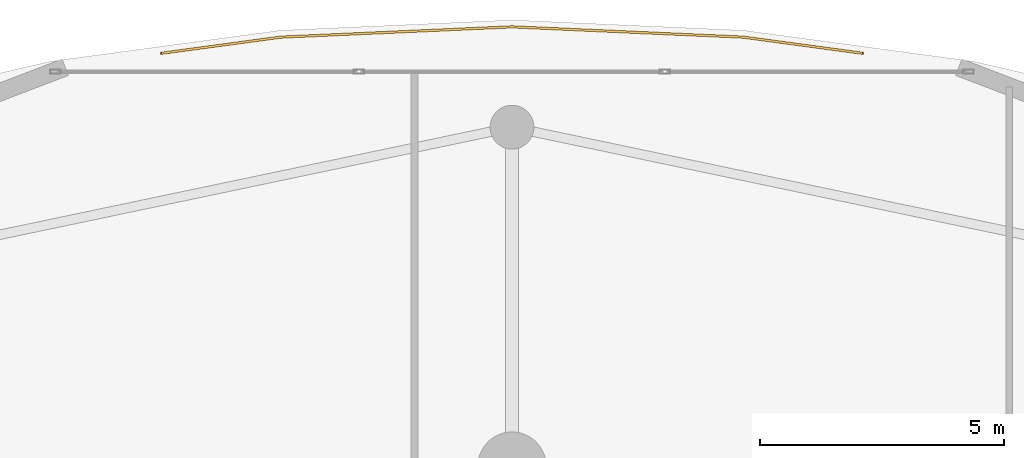
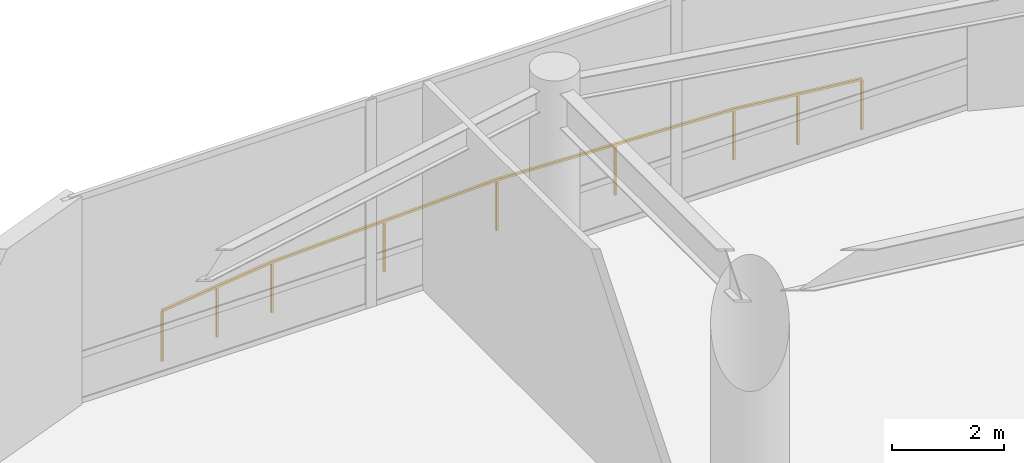
# One storey, part 39 of 40: 1 railing.
"""IFC4 building model written with IfcOpenShell, lengths in metres."""

from ifc_helpers import new_model, si_unit, direction, frame, origin, origin_2d, place, context, subcontext, project, spatial, rectangle, extrude, material, type_object, element, save


model = new_model("IFC4")

# Units and contexts
model_context = context("Model", 3, precision=1e-05, world=origin(), true_north=direction((0.0, 1.0)))
body_context = subcontext(model_context, "Body", "Model", "MODEL_VIEW")
ifc_project = project(units=[si_unit("LENGTHUNIT", "METRE"), si_unit("AREAUNIT", "SQUARE_METRE"), si_unit("VOLUMEUNIT", "CUBIC_METRE"), si_unit("PLANEANGLEUNIT", "RADIAN"), si_unit("MASSUNIT", "GRAM", prefix="KILO")], contexts=[model_context])

# Site, building, storey
site_placement = place(None, origin())
site = spatial("IfcSite", under=ifc_project, at=site_placement, CompositionType="ELEMENT")
building_placement = place(site_placement, origin())
building = spatial("IfcBuilding", under=site, at=building_placement, Name="Kazevale Care Tower and Concert Hall", CompositionType="ELEMENT")
storey_placement = place(building_placement, frame((0.0, 0.0, 4.800048828125)))
storey = spatial("IfcBuildingStorey", under=building, at=storey_placement, Name="L01", CompositionType="ELEMENT", Elevation=4.800048828125)

# Railing
ifc_material = material(Name="Anodised Bronze Aluminium and Laminated Glass", Category="aluminium")
railing_type = type_object("IfcRailingType", Name="Balcony and Terrace Balustrade 1120", PredefinedType="BALUSTRADE", material=ifc_material)
railing_placement = place(storey_placement, frame((37.81201171875, 71.117919921875, 0.0)))
element("IfcRailing", 1, at=railing_placement, inside=storey, type_object=railing_type, Name="rail:L01:perim:7", PredefinedType="BALUSTRADE", context=body_context, shape_type="SweptSolid", body=[
    extrude(rectangle(XDim=0.048095703125, YDim=0.048095703125, at=origin_2d()), frame((0.0, 0.0, 1.09619140625), z_axis=(0.990987454457, 0.1339547129, 0.0), x_axis=(-0.1339547129, 0.990987454457, 0.0)), (0.0, 0.0, 1.0), 2.464111328125),
    extrude(rectangle(XDim=0.048095703125, YDim=0.048095703125, at=origin_2d()), frame((2.44189453125, 0.330078125, 1.09619140625), z_axis=(0.999004667567, 0.044605763963, 0.0), x_axis=(-0.044605763963, 0.999004667567, 0.0)), (0.0, 0.0, 1.0), 4.750732421875),
    extrude(rectangle(XDim=0.048095703125, YDim=0.048095703125, at=origin_2d()), frame((7.18798828125, 0.5419921875, 1.09619140625), z_axis=(0.999004667567, -0.044605763963, 0.0), x_axis=(0.044605763963, 0.999004667567, 0.0)), (0.0, 0.0, 1.0), 4.750732421875),
    extrude(rectangle(XDim=0.048095703125, YDim=0.048095703125, at=origin_2d()), frame((11.93408203125, 0.330078125, 1.09619140625), z_axis=(0.990987454457, -0.1339547129, 0.0), x_axis=(0.1339547129, 0.990987454457, 0.0)), (0.0, 0.0, 1.0), 2.464111328125),
    extrude(rectangle(XDim=0.0419921875, YDim=0.0419921875, at=origin_2d()), origin(), (0.0, 0.0, 1.0), 1.072021484375),
    extrude(rectangle(XDim=0.0419921875, YDim=0.0419921875, at=origin_2d()), frame((1.220947265625, 0.1650390625, 0.0)), (0.0, 0.0, 1.0), 1.072021484375),
    extrude(rectangle(XDim=0.0419921875, YDim=0.0419921875, at=origin_2d()), frame((2.44189453125, 0.330078125, 0.0)), (0.0, 0.0, 1.0), 1.072021484375),
    extrude(rectangle(XDim=0.0419921875, YDim=0.0419921875, at=origin_2d()), frame((4.81494140625, 0.43603515625, 0.0)), (0.0, 0.0, 1.0), 1.072021484375),
    extrude(rectangle(XDim=0.0419921875, YDim=0.0419921875, at=origin_2d()), frame((7.18798828125, 0.5419921875, 0.0)), (0.0, 0.0, 1.0), 1.072021484375),
    extrude(rectangle(XDim=0.0419921875, YDim=0.0419921875, at=origin_2d()), frame((9.56103515625, 0.43603515625, 0.0)), (0.0, 0.0, 1.0), 1.072021484375),
    extrude(rectangle(XDim=0.0419921875, YDim=0.0419921875, at=origin_2d()), frame((11.93408203125, 0.330078125, 0.0)), (0.0, 0.0, 1.0), 1.072021484375),
    extrude(rectangle(XDim=0.0419921875, YDim=0.0419921875, at=origin_2d()), frame((13.155029296875, 0.1650390625, 0.0)), (0.0, 0.0, 1.0), 1.072021484375),
    extrude(rectangle(XDim=0.0419921875, YDim=0.0419921875, at=origin_2d()), frame((14.3759765625, 0.0, 0.0)), (0.0, 0.0, 1.0), 1.072021484375),
])

save(model, "model.ifc")
